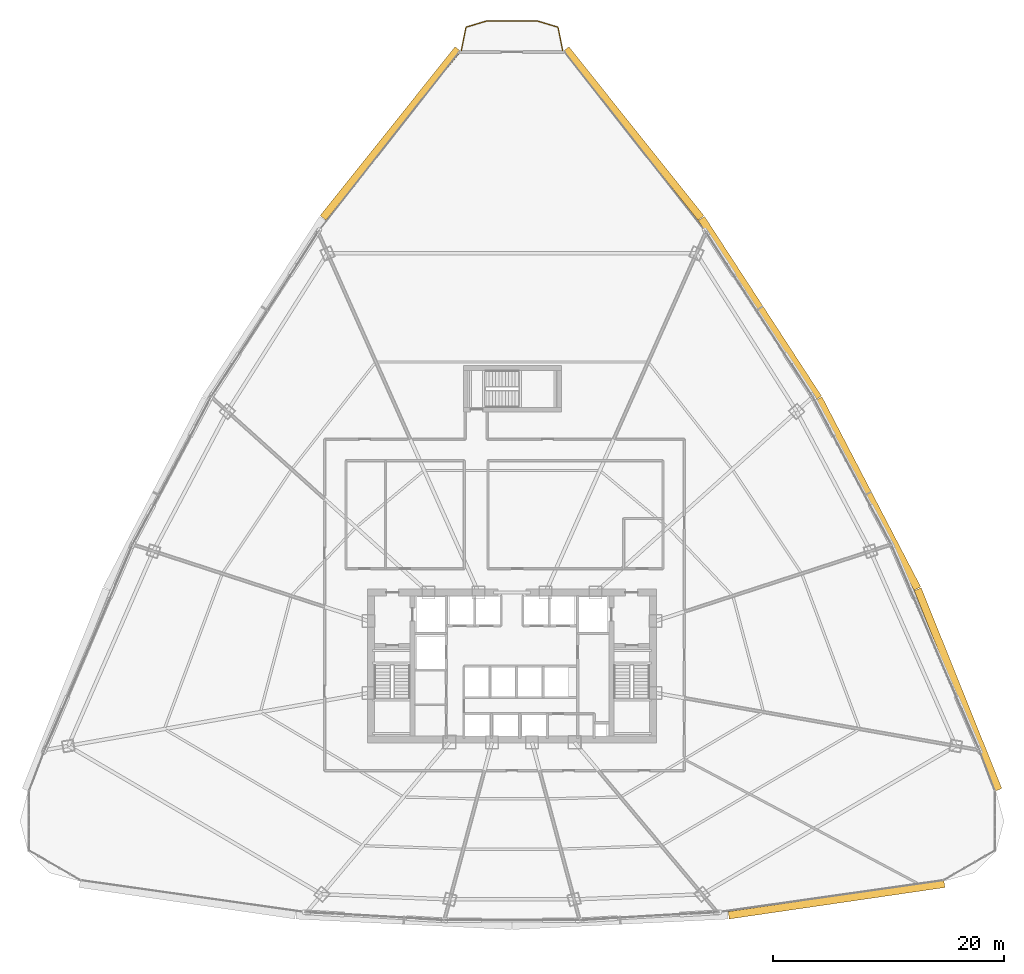
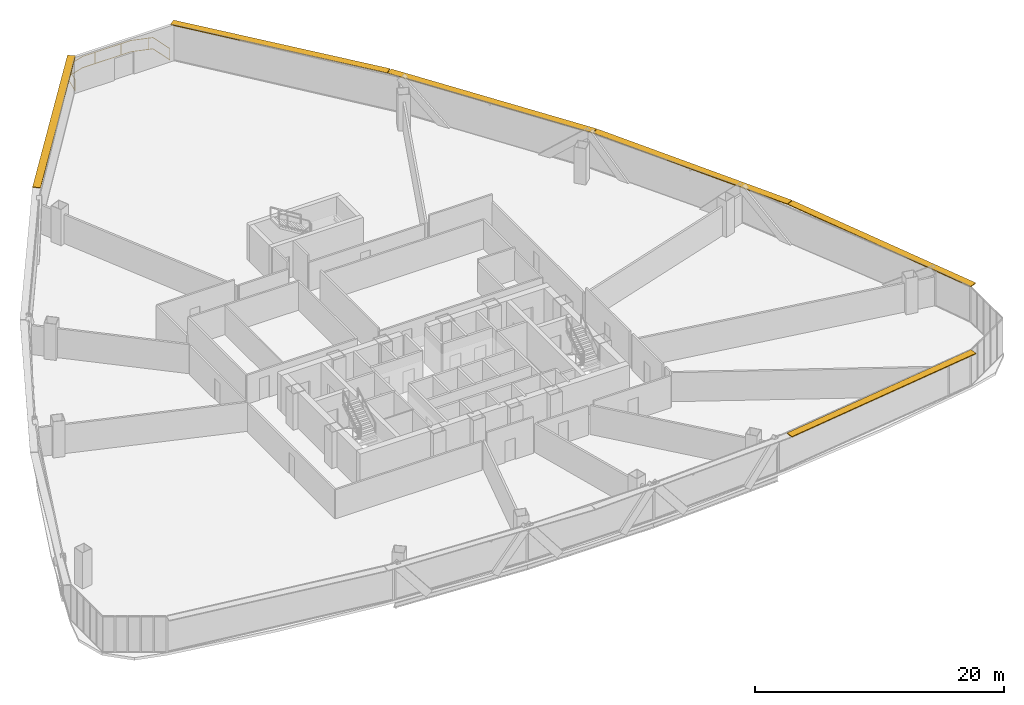
# One storey, part 39 of 39: 6 shading devices, 1 railing.
"""IFC4 building model written with IfcOpenShell, lengths in metres."""

from ifc_helpers import new_model, si_unit, direction, frame, origin, origin_2d, place, context, subcontext, project, spatial, rectangle, extrude, source, transform, mapped, material, layer, layer_set, type_object, element, save


model = new_model("IFC4")

# Units and contexts
model_context = context("Model", 3, precision=1e-05, world=origin(), true_north=direction((0.0, 1.0)))
body_context = subcontext(model_context, "Body", "Model", "MODEL_VIEW")
ifc_project = project(units=[si_unit("LENGTHUNIT", "METRE"), si_unit("AREAUNIT", "SQUARE_METRE"), si_unit("VOLUMEUNIT", "CUBIC_METRE"), si_unit("PLANEANGLEUNIT", "RADIAN"), si_unit("MASSUNIT", "GRAM", prefix="KILO"), si_unit("THERMODYNAMICTEMPERATUREUNIT", "KELVIN"), si_unit("POWERUNIT", "WATT")], contexts=[model_context])

# Site, building, storey
site_placement = place(None, origin())
site = spatial("IfcSite", under=ifc_project, at=site_placement, CompositionType="ELEMENT")
building_placement = place(site_placement, origin())
building = spatial("IfcBuilding", under=site, at=building_placement, Name="Yunzhuo Pagoda Commons", CompositionType="ELEMENT")
storey_placement = place(building_placement, frame((0.0, 0.0, 92.580078125)))
storey = spatial("IfcBuildingStorey", under=building, at=storey_placement, Name="L23", CompositionType="ELEMENT", Elevation=92.580078125)

# Railing
ifc_material = material(Name="Anodized aluminium 6063-T6", Category="aluminium")
railing_type = type_object("IfcRailingType", Name="RL-BAL1 Exterior Terrace & Balcony Balustrade 1150", PredefinedType="BALUSTRADE", material=ifc_material)
railing_placement = place(storey_placement, frame((52.38232421875, 87.034912109375, 0.0)))
element("IfcRailing", 1, at=railing_placement, inside=storey, type_object=railing_type, Name="L23 corner balcony balustrade V3", PredefinedType="BALUSTRADE", context=body_context, shape_type="SweptSolid", body=[
    extrude(rectangle(XDim=0.048095703125, YDim=0.048095703125, at=origin_2d()), frame((0.0, 0.0, 1.1259765625), z_axis=(-0.194223156668, 0.980957371864, 0.0), x_axis=(-0.980957371864, -0.194223156668, 0.0)), (0.0, 0.0, 1.0), 2.05908203125),
    extrude(rectangle(XDim=0.048095703125, YDim=0.048095703125, at=origin_2d()), frame((0.0, 0.0, 0.02392578125), z_axis=(-0.194223156668, 0.980957371864, 0.0), x_axis=(-0.980957371864, -0.194223156668, 0.0)), (0.0, 0.0, 1.0), 2.05908203125),
    extrude(rectangle(XDim=0.048095703125, YDim=0.048095703125, at=origin_2d()), frame((-0.39990234375, 2.019775390625, 1.1259765625), z_axis=(-0.957121984822, 0.289685184588, 0.0), x_axis=(-0.289685184588, -0.957121984822, 0.0)), (0.0, 0.0, 1.0), 1.82958984375),
    extrude(rectangle(XDim=0.048095703125, YDim=0.048095703125, at=origin_2d()), frame((-0.39990234375, 2.019775390625, 0.02392578125), z_axis=(-0.957121984822, 0.289685184588, 0.0), x_axis=(-0.289685184588, -0.957121984822, 0.0)), (0.0, 0.0, 1.0), 1.82958984375),
    extrude(rectangle(XDim=0.048095703125, YDim=0.048095703125, at=origin_2d()), frame((-2.151123046875, 2.5498046875, 1.1259765625), z_axis=(-1.0, 0.0, 0.0), x_axis=(0.0, -1.0, 0.0)), (0.0, 0.0, 1.0), 4.46240234375),
    extrude(rectangle(XDim=0.048095703125, YDim=0.048095703125, at=origin_2d()), frame((-2.151123046875, 2.5498046875, 0.02392578125), z_axis=(-1.0, 0.0, 0.0), x_axis=(0.0, -1.0, 0.0)), (0.0, 0.0, 1.0), 4.46240234375),
    extrude(rectangle(XDim=0.048095703125, YDim=0.048095703125, at=origin_2d()), frame((-6.613525390625, 2.5498046875, 1.1259765625), z_axis=(-0.957121984822, -0.289685184588, 0.0), x_axis=(0.289685184588, -0.957121984822, 0.0)), (0.0, 0.0, 1.0), 1.82958984375),
    extrude(rectangle(XDim=0.048095703125, YDim=0.048095703125, at=origin_2d()), frame((-6.613525390625, 2.5498046875, 0.02392578125), z_axis=(-0.957121984822, -0.289685184588, 0.0), x_axis=(0.289685184588, -0.957121984822, 0.0)), (0.0, 0.0, 1.0), 1.82958984375),
    extrude(rectangle(XDim=0.048095703125, YDim=0.048095703125, at=origin_2d()), frame((-8.36474609375, 2.019775390625, 1.1259765625), z_axis=(-0.194223156668, -0.980957371864, 0.0), x_axis=(0.980957371864, -0.194223156668, 0.0)), (0.0, 0.0, 1.0), 2.05908203125),
    extrude(rectangle(XDim=0.048095703125, YDim=0.048095703125, at=origin_2d()), frame((-8.36474609375, 2.019775390625, 0.02392578125), z_axis=(-0.194223156668, -0.980957371864, 0.0), x_axis=(0.980957371864, -0.194223156668, 0.0)), (0.0, 0.0, 1.0), 2.05908203125),
    extrude(rectangle(XDim=0.0419921875, YDim=0.0419921875, at=origin_2d()), origin(), (0.0, 0.0, 1.0), 1.101806640625),
    extrude(rectangle(XDim=0.0419921875, YDim=0.0419921875, at=origin_2d()), frame((-0.726318359375, 2.11865234375, 0.0)), (0.0, 0.0, 1.0), 1.101806640625),
    extrude(rectangle(XDim=0.0419921875, YDim=0.0419921875, at=origin_2d()), frame((-3.0625, 2.5498046875, 0.0)), (0.0, 0.0, 1.0), 1.101806640625),
    extrude(rectangle(XDim=0.0419921875, YDim=0.0419921875, at=origin_2d()), frame((-5.46240234375, 2.5498046875, 0.0)), (0.0, 0.0, 1.0), 1.101806640625),
    extrude(rectangle(XDim=0.0419921875, YDim=0.0419921875, at=origin_2d()), frame((-7.808837890625, 2.18798828125, 0.0)), (0.0, 0.0, 1.0), 1.101806640625),
    extrude(rectangle(XDim=0.0419921875, YDim=0.0419921875, at=origin_2d()), frame((-8.718017578125, 0.235107421875, 0.0)), (0.0, 0.0, 1.0), 1.101806640625),
    extrude(rectangle(XDim=0.0419921875, YDim=0.0419921875, at=origin_2d()), frame((-8.7646484375, 0.0, 0.0)), (0.0, 0.0, 1.0), 1.101806640625),
])

# Shading devices
ifc_layer = layer(ifc_material, 0.080078125)
ifc_layer_set = layer_set([ifc_layer], Name="Anodized aluminium 6063-T6")
shading_device_type = type_object("IfcShadingDeviceType", Name="SH-SUN1 Pagoda Horizontal Sunshade Eave 650", PredefinedType="USERDEFINED", material=ifc_layer_set)
shared_shape_1 = source(origin(), body_context, "Body", "SweptSolid", [
    extrude(rectangle(XDim=18.838134765625, YDim=0.64990234375, at=origin_2d()), origin(), (0.0, 0.0, 1.0), 0.080078125),
])
shading_device_placement = place(storey_placement, frame((76.054931640625, 13.65966796875, 3.4599609375), z_axis=(0.0, 0.0, 1.0), x_axis=(0.989510666697, 0.144459823108, 0.0)))
element("IfcShadingDevice", 2, at=shading_device_placement, inside=storey, type_object=shading_device_type, Name="L23 horizontal pagoda sunshade eave F1.4", ObjectType="SUNSHADE", PredefinedType="USERDEFINED", context=body_context, shape_type="MappedRepresentation", body=[
    mapped(shared_shape_1, transform((0.0, 0.0, 0.0), scale=1.0)),
])
shared_shape_2 = source(origin(), body_context, "Body", "SweptSolid", [
    extrude(rectangle(XDim=18.686767578125, YDim=0.64990234375, at=origin_2d()), origin(), (0.0, 0.0, 1.0), 0.080078125),
])
for number, where, z_axis, x_axis, name in (
    (3, (86.552978515625, 31.809814453125, 3.4599609375), (0.0, 0.0, 1.0), (-0.372987782576, 0.927836253899, 0.0), "L23 horizontal pagoda sunshade eave F2.1"),
    (4, (58.497314453125, 79.871826171875, 3.4599609375), (0.0, 0.0, 1.0), (-0.624520471688, 0.781008438138, 0.0), "L23 horizontal pagoda sunshade eave F2.4"),
    (5, (37.502685546875, 79.871826171875, 3.4599609375), (0.0, 0.0, 1.0), (-0.624520471688, -0.781008438138, 0.0), "L23 horizontal pagoda sunshade eave F3.1"),
):
    element("IfcShadingDevice", number, at=place(storey_placement, frame(where, z_axis=z_axis, x_axis=x_axis)), inside=storey, type_object=shading_device_type, Name=name, ObjectType="SUNSHADE", PredefinedType="USERDEFINED", context=body_context, shape_type="MappedRepresentation", body=[
        mapped(shared_shape_2, transform((0.0, 0.0, 0.0), scale=1.0)),
    ])
shared_shape_3 = source(origin(), body_context, "Body", "SweptSolid", [
    extrude(rectangle(XDim=18.509521484375, YDim=0.64990234375, at=origin_2d()), origin(), (0.0, 0.0, 1.0), 0.080078125),
])
for number, where, z_axis, x_axis, name in (
    (6, (78.773193359375, 48.748046875, 3.4599609375), (0.0, 0.0, 1.0), (-0.461206683033, 0.88729273384, 0.0), "L23 horizontal pagoda sunshade eave F2.2"),
    (7, (69.421142578125, 64.768798828125, 3.4599609375), (0.0, 0.0, 1.0), (-0.545838756973, 0.837890238269, 0.0), "L23 horizontal pagoda sunshade eave F2.3"),
):
    element("IfcShadingDevice", number, at=place(storey_placement, frame(where, z_axis=z_axis, x_axis=x_axis)), inside=storey, type_object=shading_device_type, Name=name, ObjectType="SUNSHADE", PredefinedType="USERDEFINED", context=body_context, shape_type="MappedRepresentation", body=[
        mapped(shared_shape_3, transform((0.0, 0.0, 0.0), scale=1.0)),
    ])

save(model, "model.ifc")
